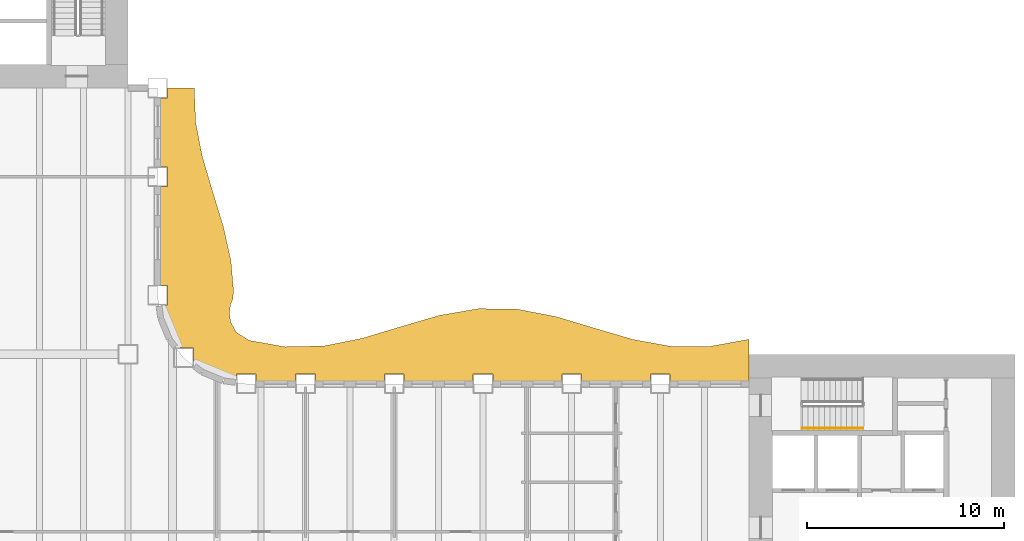
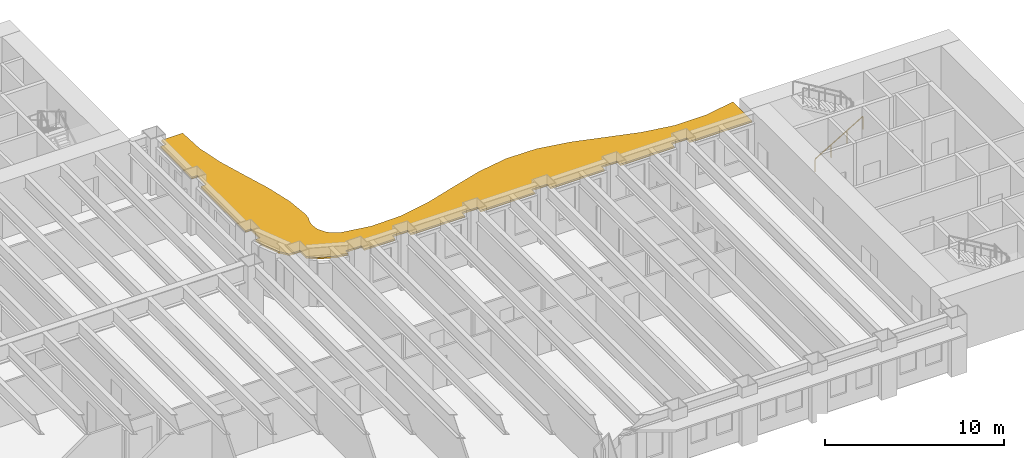
# One storey, part 14 of 16: 1 railing, 1 shading device.
"""IFC4 building model written with IfcOpenShell, lengths in metres."""

from ifc_helpers import new_model, si_unit, direction, frame, origin, origin_2d, place, context, subcontext, project, spatial, polyline, rectangle, outline, extrude, material, layer, layer_set, type_object, element, save


model = new_model("IFC4")

# Units and contexts
model_context = context("Model", 3, precision=1e-05, world=origin(), true_north=direction((0.0, 1.0)))
body_context = subcontext(model_context, "Body", "Model", "MODEL_VIEW")
ifc_project = project(units=[si_unit("LENGTHUNIT", "METRE"), si_unit("AREAUNIT", "SQUARE_METRE"), si_unit("VOLUMEUNIT", "CUBIC_METRE"), si_unit("PLANEANGLEUNIT", "RADIAN"), si_unit("MASSUNIT", "GRAM", prefix="KILO")], contexts=[model_context])

# Site, building, storey
site_placement = place(None, origin())
site = spatial("IfcSite", under=ifc_project, at=site_placement, CompositionType="ELEMENT")
building_placement = place(site_placement, origin())
building = spatial("IfcBuilding", under=site, at=building_placement, Name="Sennacour Bend Tower", CompositionType="ELEMENT")
storey_placement = place(building_placement, frame((0.0, 0.0, 123.0)))
storey = spatial("IfcBuildingStorey", under=building, at=storey_placement, Name="L28", CompositionType="ELEMENT", Elevation=123.0)

# Railing
ifc_material_1 = material(Name="Stainless steel", Category="steel")
railing_type = type_object("IfcRailingType", Name="RL-HANDRAIL-900", PredefinedType="HANDRAIL", material=ifc_material_1)
railing_placement = place(storey_placement, frame((56.699951171875, 18.75, 0.166748046875)))
element("IfcRailing", 1, at=railing_placement, inside=storey, type_object=railing_type, Name="L28 SA2 stair handrail 1", PredefinedType="HANDRAIL", context=body_context, shape_type="SweptSolid", body=[
    extrude(rectangle(XDim=0.048095703125, YDim=0.048095703125, at=origin_2d()), frame((0.0, 0.0, 0.8759765625), z_axis=(0.859308565015, 0.0, 0.511457515432), x_axis=(0.0, 1.0, 0.0)), (0.0, 0.0, 1.0), 3.58447265625),
    extrude(rectangle(XDim=0.0419921875, YDim=0.0419921875, at=origin_2d()), origin(), (0.0, 0.0, 1.0), 0.851806640625),
    extrude(rectangle(XDim=0.0419921875, YDim=0.0419921875, at=origin_2d()), frame((1.026611328125, 0.0, 0.611083984375)), (0.0, 0.0, 1.0), 0.851806640625),
    extrude(rectangle(XDim=0.0419921875, YDim=0.0419921875, at=origin_2d()), frame((2.053466796875, 0.0, 1.22216796875)), (0.0, 0.0, 1.0), 0.851806640625),
    extrude(rectangle(XDim=0.0419921875, YDim=0.0419921875, at=origin_2d()), frame((3.080078125, 0.0, 1.833251953125)), (0.0, 0.0, 1.0), 0.851806640625),
])

# Shading device
ifc_material_2 = material(Name="Bronze anodised aluminium", Category="aluminium")
ifc_layer = layer(ifc_material_2, 0.1201171875, Name="Bronze anodised aluminium", Category="aluminium")
ifc_layer_set = layer_set([ifc_layer], Name="Bronze anodised aluminium")
shading_device_type = type_object("IfcShadingDeviceType", Name="SUNSHADE BAND WAVE", PredefinedType="USERDEFINED", material=ifc_layer_set)
shading_device_placement = place(storey_placement, frame((0.0, 0.0, 3.033935546875)))
element("IfcShadingDevice", 2, at=shading_device_placement, inside=storey, type_object=shading_device_type, Name="Sunshade band L28 concave faces", ObjectType="SUNSHADE", PredefinedType="USERDEFINED", context=body_context, shape_type="SweptSolid", body=[
    extrude(outline(polyline([(54.0, 21.14990234375), (50.0, 21.14990234375), (50.0, 21.5), (49.0, 21.5), (49.0, 21.14990234375), (45.5, 21.14990234375), (45.5, 21.5), (44.5, 21.5), (44.5, 21.14990234375), (41.0, 21.14990234375), (41.0, 21.5), (40.0, 21.5), (40.0, 21.14990234375), (36.5, 21.14990234375), (36.5, 21.5), (35.5, 21.5), (35.5, 21.14990234375), (32.0, 21.14990234375), (32.0, 21.5), (31.0, 21.5), (31.0, 21.14990234375), (29.0, 21.14990234375), (29.0, 21.5), (28.0, 21.5), (28.0, 21.217041015625), (27.37451171875, 21.299560546875), (26.32568359375, 21.73388671875), (25.818115234375, 22.123291015625), (25.818115234375, 22.818115234375), (25.123291015625, 22.818115234375), (24.73388671875, 23.32568359375), (24.299560546875, 24.37451171875), (24.217041015625, 25.0), (24.5, 25.0), (24.5, 26.0), (24.14990234375, 26.0), (24.14990234375, 31.0), (24.5, 31.0), (24.5, 32.0), (24.14990234375, 32.0), (24.14990234375, 35.5), (24.5, 35.5), (24.5, 36.0), (25.861572265625, 36.0), (25.930419921875, 34.25), (26.275390625, 32.5), (26.79345703125, 30.75), (27.328369140625, 29.0), (27.719482421875, 27.25), (27.849365234375, 25.752197265625), (27.822998046875, 25.318603515625), (27.710693359375, 25.044189453125), (27.637451171875, 24.637451171875), (27.7080078125, 24.128173828125), (27.994384765625, 23.61279296875), (28.644287109375, 23.202392578125), (30.46142578125, 22.879638671875), (32.423095703125, 22.9208984375), (34.384521484375, 23.310546875), (36.34619140625, 23.902587890625), (38.3076171875, 24.47509765625), (40.269287109375, 24.81298828125), (42.230712890625, 24.78955078125), (44.1923828125, 24.413818359375), (46.15380859375, 23.82666015625), (48.115478515625, 23.248046875), (50.076904296875, 22.8955078125), (52.03857421875, 22.90087890625), (54.0, 23.26220703125), (54.0, 21.14990234375)])), origin(), (0.0, 0.0, 1.0), 0.1201171875),
])

save(model, "model.ifc")
